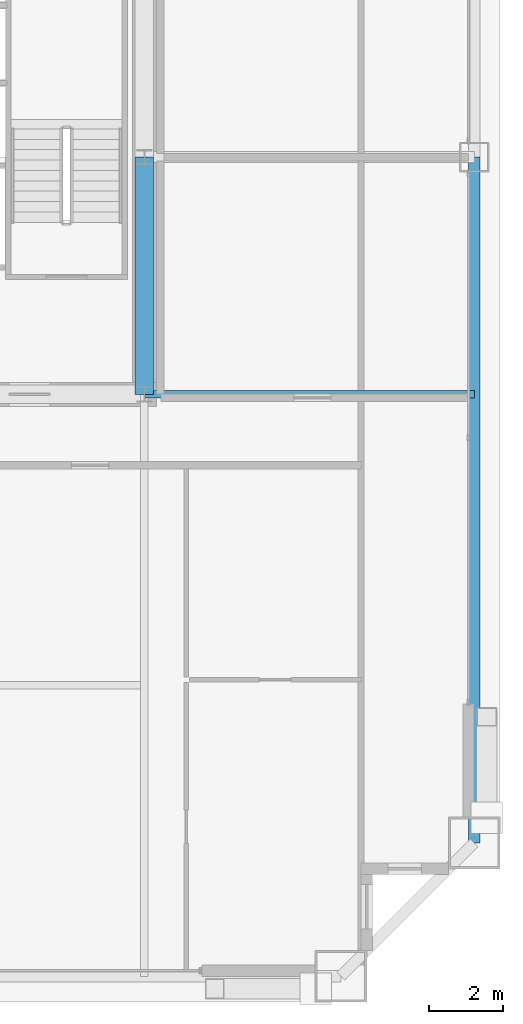
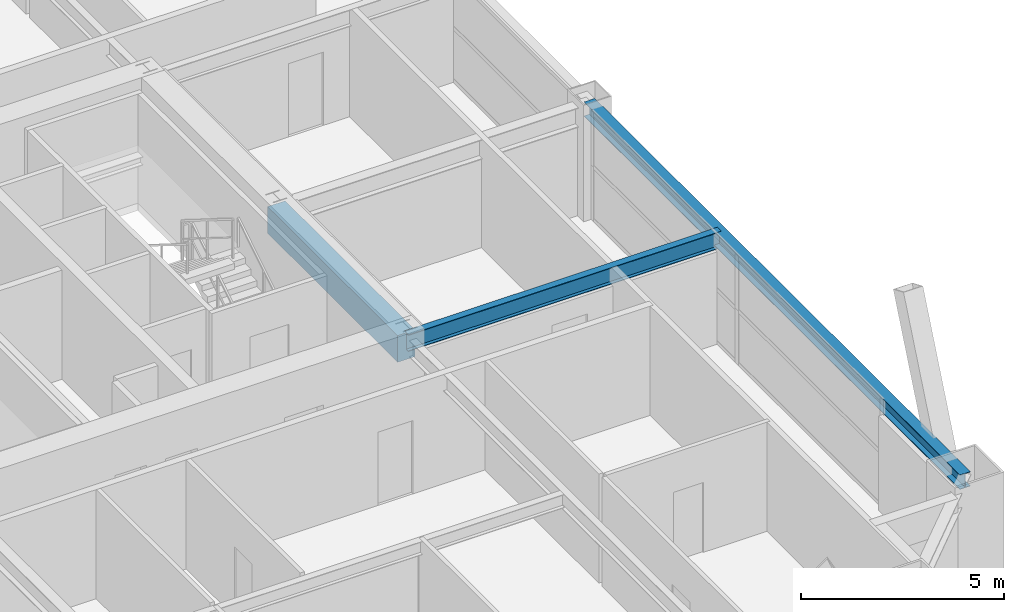
# One storey, part 23 of 45: 3 beams.
"""IFC4 building model written with IfcOpenShell, lengths in metres."""

from ifc_helpers import new_model, si_unit, direction, frame, origin, origin_2d, place, context, subcontext, project, spatial, rectangle, i_section, extrude, source, transform, mapped, material, material_profile, profile_set, type_object, element, save


model = new_model("IFC4")

# Units and contexts
model_context = context("Model", 3, precision=1e-05, world=origin(), true_north=direction((0.0, 1.0)))
body_context = subcontext(model_context, "Body", "Model", "MODEL_VIEW")
ifc_project = project(units=[si_unit("LENGTHUNIT", "METRE"), si_unit("AREAUNIT", "SQUARE_METRE"), si_unit("VOLUMEUNIT", "CUBIC_METRE"), si_unit("PLANEANGLEUNIT", "RADIAN"), si_unit("MASSUNIT", "GRAM", prefix="KILO"), si_unit("THERMODYNAMICTEMPERATUREUNIT", "KELVIN"), si_unit("POWERUNIT", "WATT")], contexts=[model_context])

# Site, building, storey
site_placement = place(None, origin())
site = spatial("IfcSite", under=ifc_project, at=site_placement, CompositionType="ELEMENT")
building_placement = place(site_placement, origin())
building = spatial("IfcBuilding", under=site, at=building_placement, Name="Yuzanri Waterfront Tower", CompositionType="ELEMENT")
storey_placement = place(building_placement, frame((0.0, 0.0, 212.5)))
storey = spatial("IfcBuildingStorey", under=building, at=storey_placement, Name="L56", CompositionType="ELEMENT", Elevation=212.5)

# Beams
ifc_material_1 = material(Name="Steel Q355B", Category="steel")
ifc_material_profile_1 = material_profile(ifc_material_1, i_section(OverallWidth=0.300048828125, OverallDepth=0.43994140625, WebThickness=0.010986328125, FlangeThickness=0.01806640625, at=origin_2d()), Name="HM 440x300x11x18")
ifc_profile_set_1 = profile_set([ifc_material_profile_1], Name="Steel Q355B")
beam_type_1 = type_object("IfcBeamType", Name="Perimeter Spandrel Q355B HM 440x300", PredefinedType="SPANDREL", material=ifc_profile_set_1)
shared_shape_1 = source(origin(), body_context, "Body", "SweptSolid", [
    extrude(i_section(OverallWidth=0.300048828125, OverallDepth=0.43994140625, WebThickness=0.010986328125, FlangeThickness=0.01806640625, at=origin_2d()), origin(), (0.0, 0.0, 1.0), 18.5),
])
beam_1_placement = place(storey_placement, frame((59.10009765625, 7.300048828125, 3.06005859375), z_axis=(0.0, 1.0, 0.0), x_axis=(-1.0, 0.0, 0.0)))
element("IfcBeam", 1, at=beam_1_placement, inside=storey, type_object=beam_type_1, Name="L56 Perimeter Spandrel E1-E2", PredefinedType="SPANDREL", context=body_context, shape_type="MappedRepresentation", body=[
    mapped(shared_shape_1, transform((0.0, 0.0, 0.0), scale=1.0)),
])
ifc_material_2 = material(Name="Steel Q355B", Category="steel")
ifc_material_profile_2 = material_profile(ifc_material_2, i_section(OverallWidth=0.199951171875, OverallDepth=0.5, WebThickness=0.010009765625, FlangeThickness=0.01611328125, at=origin_2d()), Name="HN 500x200x10x16")
ifc_profile_set_2 = profile_set([ifc_material_profile_2], Name="Steel Q355B")
beam_type_2 = type_object("IfcBeamType", Name="Secondary Floor Beam Q355B HN 500x200", PredefinedType="BEAM", material=ifc_profile_set_2)
shared_shape_2 = source(origin(), body_context, "Body", "SweptSolid", [
    extrude(i_section(OverallWidth=0.199951171875, OverallDepth=0.5, WebThickness=0.010009765625, FlangeThickness=0.01611328125, at=origin_2d()), origin(), (0.0, 0.0, 1.0), 8.900146484375),
])
beam_2_placement = place(storey_placement, frame((50.199951171875, 19.39990234375, 3.030029296875), z_axis=(1.0, 0.0, 0.0), x_axis=(0.0, 1.0, 0.0)))
element("IfcBeam", 2, at=beam_2_placement, inside=storey, type_object=beam_type_2, Name="L56 East-South Core Line Beam", PredefinedType="BEAM", context=body_context, shape_type="MappedRepresentation", body=[
    mapped(shared_shape_2, transform((0.0, 0.0, 0.0), scale=1.0)),
])
ifc_material_3 = material(Name="Concrete C50", Category="concrete")
ifc_material_profile_3 = material_profile(ifc_material_3, rectangle(XDim=0.5, YDim=0.800048828125, at=origin_2d()), Name="RC 500x800")
ifc_profile_set_3 = profile_set([ifc_material_profile_3], Name="Concrete C50")
beam_type_3 = type_object("IfcBeamType", Name="Core Coupling Lintel Concrete C50 500x800", PredefinedType="LINTEL", material=ifc_profile_set_3)
shared_shape_3 = source(origin(), body_context, "Body", "SweptSolid", [
    extrude(rectangle(XDim=0.5, YDim=0.800048828125, at=origin_2d()), origin(), (0.0, 0.0, 1.0), 6.400146484375),
])
beam_3_placement = place(storey_placement, frame((50.199951171875, 19.39990234375, 2.8798828125), z_axis=(0.0, 1.0, 0.0), x_axis=(-1.0, 0.0, 0.0)))
element("IfcBeam", 3, at=beam_3_placement, inside=storey, type_object=beam_type_3, Name="L56 Core Tie Beam CE1", PredefinedType="LINTEL", context=body_context, shape_type="MappedRepresentation", body=[
    mapped(shared_shape_3, transform((0.0, 0.0, 0.0), scale=1.0)),
])

save(model, "model.ifc")
